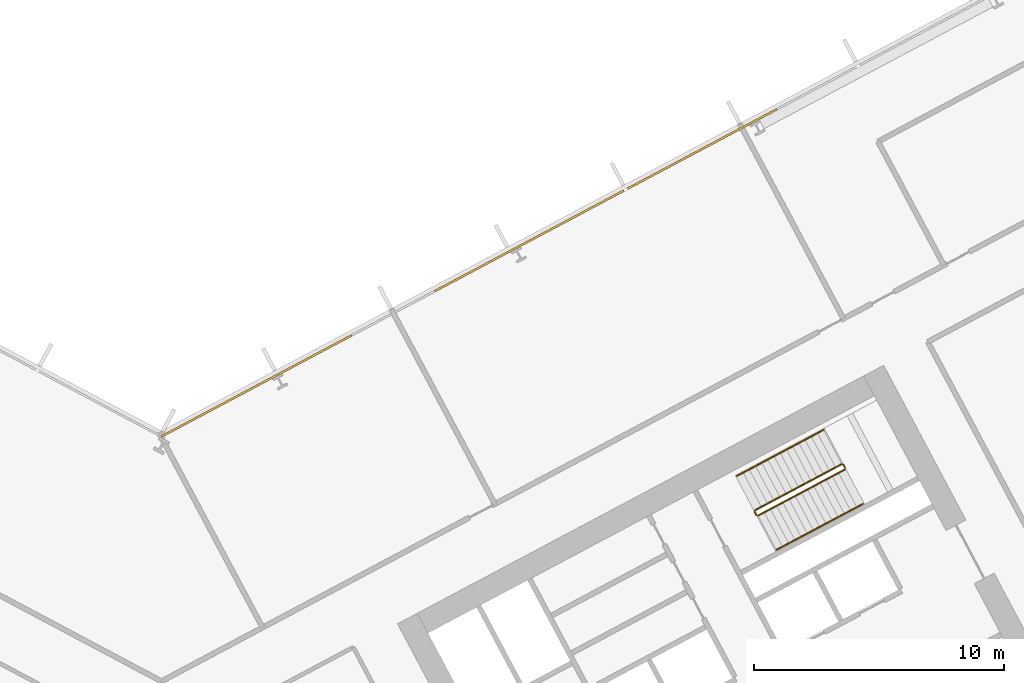
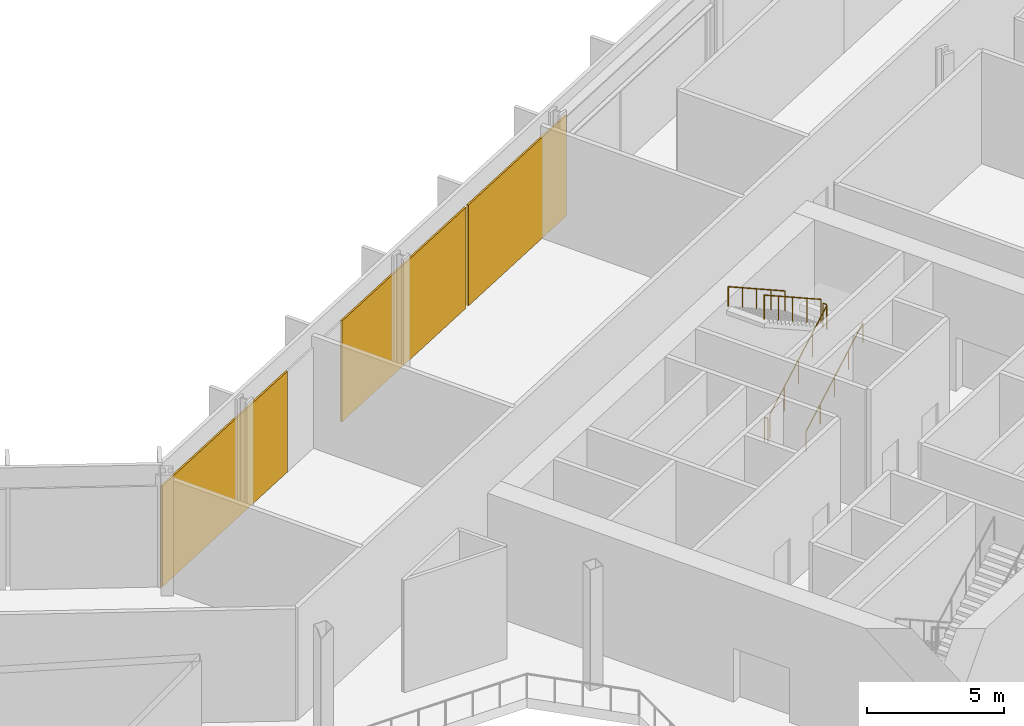
# One storey, part 29 of 32: 6 railings, 3 coverings, 1 element without a shape of its own.
"""IFC4 building model written with IfcOpenShell, lengths in metres."""

from ifc_helpers import new_model, si_unit, direction, frame, origin, origin_2d, place, context, subcontext, project, spatial, polyline, rectangle, outline, extrude, material, layer, layer_set, type_object, element, aggregate, save


model = new_model("IFC4")

# Units and contexts
model_context = context("Model", 3, precision=1e-05, world=origin(), true_north=direction((0.0, 1.0)))
body_context = subcontext(model_context, "Body", "Model", "MODEL_VIEW")
ifc_project = project(units=[si_unit("LENGTHUNIT", "METRE"), si_unit("AREAUNIT", "SQUARE_METRE"), si_unit("VOLUMEUNIT", "CUBIC_METRE"), si_unit("PLANEANGLEUNIT", "RADIAN"), si_unit("MASSUNIT", "GRAM", prefix="KILO")], contexts=[model_context])

# Site, building, storey
site_placement = place(None, origin())
site = spatial("IfcSite", under=ifc_project, at=site_placement, CompositionType="ELEMENT")
building_placement = place(site_placement, origin())
building = spatial("IfcBuilding", under=site, at=building_placement, Name="Cormorant Relay Tower", CompositionType="ELEMENT")
storey_placement = place(building_placement, frame((0.0, 0.0, 60.800048828125)))
storey = spatial("IfcBuildingStorey", under=building, at=storey_placement, Name="L11", CompositionType="ELEMENT", Elevation=60.800048828125)

# Curtain wall, coverings
ifc_material_1 = material(Name="Aluminium 6063-T6 anodised bronze", Category="aluminium")
ifc_layer_1 = layer(ifc_material_1, 0.235107421875)
ifc_layer_set_1 = layer_set([ifc_layer_1], Name="CW6 data hall curtain wall with mineral wool panels")
curtain_wall_type = type_object("IfcCurtainWallType", Name="CW6 data hall curtain wall with mineral wool panels", PredefinedType="NOTDEFINED", material=ifc_layer_set_1)
curtain_wall_placement = place(storey_placement, origin())
curtain_wall = element("IfcCurtainWall", 1, at=curtain_wall_placement, inside=storey, type_object=curtain_wall_type, Name="CW6 curtain wall 6", PredefinedType="NOTDEFINED")
ifc_material_2 = material(Name="Mineral wool cored anodised bronze aluminium cassette panel", Category="aluminium")
ifc_layer_2 = layer(ifc_material_2, 0.074951171875)
ifc_layer_set_2 = layer_set([ifc_layer_2], Name="CW6 mineral wool cassette panel 75")
covering_type = type_object("IfcCoveringType", Name="CW6 mineral wool cassette panel 75", PredefinedType="CLADDING", material=ifc_layer_set_2)
covering_1_placement = place(storey_placement, frame((21.604248046875, 35.313720703125, 0.0), z_axis=(0.0, 0.0, 1.0), x_axis=(-0.882947592859, -0.469471562786, 0.0)))
covering_1 = element("IfcCovering", 2, at=covering_1_placement, type_object=covering_type, Name="CW6 panel S05", PredefinedType="CLADDING", context=body_context, shape_type="SweptSolid", body=[
    extrude(rectangle(XDim=6.765380859375, YDim=0.074951171875, at=origin_2d()), origin(), (0.0, 0.0, 1.0), 4.5),
])
covering_2_placement = place(storey_placement, frame((14.70361328125, 31.64453125, 0.0), z_axis=(0.0, 0.0, 1.0), x_axis=(-0.882947592859, -0.469471562786, 0.0)))
covering_2 = element("IfcCovering", 3, at=covering_2_placement, type_object=covering_type, Name="CW6 panel S06", PredefinedType="CLADDING", context=body_context, shape_type="SweptSolid", body=[
    extrude(rectangle(XDim=8.565185546875, YDim=0.074951171875, at=origin_2d()), origin(), (0.0, 0.0, 1.0), 4.5),
])
covering_3_placement = place(storey_placement, frame((3.796875, 25.84521484375, 0.0), z_axis=(0.0, 0.0, 1.0), x_axis=(-0.882947592859, -0.469471562786, 0.0)))
covering_3 = element("IfcCovering", 4, at=covering_3_placement, type_object=covering_type, Name="CW6 panel S09", PredefinedType="CLADDING", context=body_context, shape_type="SweptSolid", body=[
    extrude(rectangle(XDim=8.640380859375, YDim=0.074951171875, at=origin_2d()), origin(), (0.0, 0.0, 1.0), 4.5),
])
aggregate(curtain_wall, [covering_1, covering_2, covering_3])

# Railings
ifc_material_3 = material(Name="Steel ASTM A572 Grade 50 (Fy 345 MPa)", Category="steel")
railing_type_1 = type_object("IfcRailingType", Name="Stair guard 1100", PredefinedType="GUARDRAIL", material=ifc_material_3)
railing_1_placement = place(storey_placement, frame((23.8408203125, 20.6611328125, 0.179931640625)))
element("IfcRailing", 5, at=railing_1_placement, inside=storey, type_object=railing_type_1, Name="L11 B2 stair guard 1", PredefinedType="GUARDRAIL", context=body_context, shape_type="SweptSolid", body=[
    extrude(outline(polyline([(0.022216796875, 0.00927734375), (0.00927734375, 0.022216796875), (-0.00927734375, 0.022216796875), (-0.022216796875, 0.00927734375), (-0.022216796875, -0.00927734375), (-0.00927734375, -0.022216796875), (0.00927734375, -0.022216796875), (0.022216796875, -0.00927734375), (0.022216796875, 0.00927734375)])), frame((0.0, 0.0, 1.076171875), z_axis=(0.74271721126, 0.394907409077, 0.540758062681), x_axis=(-0.469469396681, 0.882948744594, 0.0)), (0.0, 0.0, 1.0), 4.66015625),
    extrude(outline(polyline([(0.019287109375, 0.008056640625), (0.008056640625, 0.019287109375), (-0.008056640625, 0.019287109375), (-0.019287109375, 0.008056640625), (-0.019287109375, -0.008056640625), (-0.008056640625, -0.019287109375), (0.008056640625, -0.019287109375), (0.019287109375, -0.008056640625), (0.019287109375, 0.008056640625)])), origin(), (0.0, 0.0, 1.0), 1.052001953125),
    extrude(outline(polyline([(0.019287109375, 0.008056640625), (0.008056640625, 0.019287109375), (-0.008056640625, 0.019287109375), (-0.019287109375, 0.008056640625), (-0.019287109375, -0.008056640625), (-0.008056640625, -0.019287109375), (0.008056640625, -0.019287109375), (0.019287109375, -0.008056640625), (0.019287109375, 0.008056640625)])), frame((0.865234375, 0.4599609375, 0.6298828125)), (0.0, 0.0, 1.0), 1.052001953125),
    extrude(outline(polyline([(0.019287109375, 0.008056640625), (0.008056640625, 0.019287109375), (-0.008056640625, 0.019287109375), (-0.019287109375, 0.008056640625), (-0.019287109375, -0.008056640625), (-0.008056640625, -0.019287109375), (0.008056640625, -0.019287109375), (0.019287109375, -0.008056640625), (0.019287109375, 0.008056640625)])), frame((1.73046875, 0.920166015625, 1.260009765625)), (0.0, 0.0, 1.0), 1.052001953125),
    extrude(outline(polyline([(0.019287109375, 0.008056640625), (0.008056640625, 0.019287109375), (-0.008056640625, 0.019287109375), (-0.019287109375, 0.008056640625), (-0.019287109375, -0.008056640625), (-0.008056640625, -0.019287109375), (0.008056640625, -0.019287109375), (0.019287109375, -0.008056640625), (0.019287109375, 0.008056640625)])), frame((2.595947265625, 1.38037109375, 1.89013671875)), (0.0, 0.0, 1.0), 1.052001953125),
    extrude(outline(polyline([(0.019287109375, 0.008056640625), (0.008056640625, 0.019287109375), (-0.008056640625, 0.019287109375), (-0.019287109375, 0.008056640625), (-0.019287109375, -0.008056640625), (-0.008056640625, -0.019287109375), (0.008056640625, -0.019287109375), (0.019287109375, -0.008056640625), (0.019287109375, 0.008056640625)])), frame((3.461181640625, 1.84033203125, 2.52001953125)), (0.0, 0.0, 1.0), 1.052001953125),
])
railing_2_placement = place(storey_placement, frame((27.32275390625, 22.569091796875, 2.699951171875)))
element("IfcRailing", 6, at=railing_2_placement, inside=storey, type_object=railing_type_1, Name="L11 B2 stair guard 2", PredefinedType="GUARDRAIL", context=body_context, shape_type="SweptSolid", body=[
    extrude(outline(polyline([(0.022216796875, 0.00927734375), (0.00927734375, 0.022216796875), (-0.00927734375, 0.022216796875), (-0.022216796875, 0.00927734375), (-0.022216796875, -0.00927734375), (-0.00927734375, -0.022216796875), (0.00927734375, -0.022216796875), (0.022216796875, -0.00927734375), (0.022216796875, 0.00927734375)])), frame((0.0, 0.0, 1.076171875), z_axis=(-0.470503732759, 0.882398003998, 0.0), x_axis=(-0.882398003998, -0.470503732759, 0.0)), (0.0, 0.0, 1.0), 0.14990234375),
    extrude(outline(polyline([(0.019287109375, 0.008056640625), (0.008056640625, 0.019287109375), (-0.008056640625, 0.019287109375), (-0.019287109375, 0.008056640625), (-0.019287109375, -0.008056640625), (-0.008056640625, -0.019287109375), (0.008056640625, -0.019287109375), (0.019287109375, -0.008056640625), (0.019287109375, 0.008056640625)])), origin(), (0.0, 0.0, 1.0), 1.052001953125),
    extrude(outline(polyline([(0.019287109375, 0.008056640625), (0.008056640625, 0.019287109375), (-0.008056640625, 0.019287109375), (-0.019287109375, 0.008056640625), (-0.019287109375, -0.008056640625), (-0.008056640625, -0.019287109375), (0.008056640625, -0.019287109375), (0.019287109375, -0.008056640625), (0.019287109375, 0.008056640625)])), frame((-0.070556640625, 0.13232421875, 0.0)), (0.0, 0.0, 1.0), 1.052001953125),
])
railing_3_placement = place(storey_placement, frame((27.1845703125, 22.72216796875, 2.8798828125)))
element("IfcRailing", 7, at=railing_3_placement, inside=storey, type_object=railing_type_1, Name="L11 B2 stair guard 3", PredefinedType="GUARDRAIL", context=body_context, shape_type="SweptSolid", body=[
    extrude(outline(polyline([(0.022216796875, 0.00927734375), (0.00927734375, 0.022216796875), (-0.00927734375, 0.022216796875), (-0.022216796875, 0.00927734375), (-0.022216796875, -0.00927734375), (-0.00927734375, -0.022216796875), (0.00927734375, -0.022216796875), (0.022216796875, -0.00927734375), (0.022216796875, 0.00927734375)])), frame((0.0, 0.0, 1.076171875), z_axis=(-0.74271721126, -0.394907409077, 0.540758062681), x_axis=(0.469469396681, -0.882948744594, 0.0)), (0.0, 0.0, 1.0), 4.66015625),
    extrude(outline(polyline([(0.019287109375, 0.008056640625), (0.008056640625, 0.019287109375), (-0.008056640625, 0.019287109375), (-0.019287109375, 0.008056640625), (-0.019287109375, -0.008056640625), (-0.008056640625, -0.019287109375), (0.008056640625, -0.019287109375), (0.019287109375, -0.008056640625), (0.019287109375, 0.008056640625)])), origin(), (0.0, 0.0, 1.0), 1.052001953125),
    extrude(outline(polyline([(0.019287109375, 0.008056640625), (0.008056640625, 0.019287109375), (-0.008056640625, 0.019287109375), (-0.019287109375, 0.008056640625), (-0.019287109375, -0.008056640625), (-0.008056640625, -0.019287109375), (0.008056640625, -0.019287109375), (0.019287109375, -0.008056640625), (0.019287109375, 0.008056640625)])), frame((-0.865234375, -0.4599609375, 0.6298828125)), (0.0, 0.0, 1.0), 1.052001953125),
    extrude(outline(polyline([(0.019287109375, 0.008056640625), (0.008056640625, 0.019287109375), (-0.008056640625, 0.019287109375), (-0.019287109375, 0.008056640625), (-0.019287109375, -0.008056640625), (-0.008056640625, -0.019287109375), (0.008056640625, -0.019287109375), (0.019287109375, -0.008056640625), (0.019287109375, 0.008056640625)])), frame((-1.73046875, -0.920166015625, 1.260009765625)), (0.0, 0.0, 1.0), 1.052001953125),
    extrude(outline(polyline([(0.019287109375, 0.008056640625), (0.008056640625, 0.019287109375), (-0.008056640625, 0.019287109375), (-0.019287109375, 0.008056640625), (-0.019287109375, -0.008056640625), (-0.008056640625, -0.019287109375), (0.008056640625, -0.019287109375), (0.019287109375, -0.008056640625), (0.019287109375, 0.008056640625)])), frame((-2.595947265625, -1.38037109375, 1.89013671875)), (0.0, 0.0, 1.0), 1.052001953125),
    extrude(outline(polyline([(0.019287109375, 0.008056640625), (0.008056640625, 0.019287109375), (-0.008056640625, 0.019287109375), (-0.019287109375, 0.008056640625), (-0.019287109375, -0.008056640625), (-0.008056640625, -0.019287109375), (0.008056640625, -0.019287109375), (0.019287109375, -0.008056640625), (0.019287109375, 0.008056640625)])), frame((-3.461181640625, -1.84033203125, 2.52001953125)), (0.0, 0.0, 1.0), 1.052001953125),
])
railing_4_placement = place(storey_placement, frame((23.773193359375, 20.681640625, 0.0)))
element("IfcRailing", 8, at=railing_4_placement, inside=storey, type_object=railing_type_1, Name="L11 B2 stair guard 4", PredefinedType="GUARDRAIL", context=body_context, shape_type="SweptSolid", body=[
    extrude(outline(polyline([(0.022216796875, 0.00927734375), (0.00927734375, 0.022216796875), (-0.00927734375, 0.022216796875), (-0.022216796875, 0.00927734375), (-0.022216796875, -0.00927734375), (-0.00927734375, -0.022216796875), (0.00927734375, -0.022216796875), (0.022216796875, -0.00927734375), (0.022216796875, 0.00927734375)])), frame((0.0, 0.0, 1.076171875), z_axis=(-0.46856034887, 0.8834314911, 0.0), x_axis=(-0.8834314911, -0.46856034887, 0.0)), (0.0, 0.0, 1.0), 0.150146484375),
    extrude(outline(polyline([(0.019287109375, 0.008056640625), (0.008056640625, 0.019287109375), (-0.008056640625, 0.019287109375), (-0.019287109375, 0.008056640625), (-0.019287109375, -0.008056640625), (-0.008056640625, -0.019287109375), (0.008056640625, -0.019287109375), (0.019287109375, -0.008056640625), (0.019287109375, 0.008056640625)])), origin(), (0.0, 0.0, 1.0), 1.052001953125),
    extrude(outline(polyline([(0.019287109375, 0.008056640625), (0.008056640625, 0.019287109375), (-0.008056640625, 0.019287109375), (-0.019287109375, 0.008056640625), (-0.019287109375, -0.008056640625), (-0.008056640625, -0.019287109375), (0.008056640625, -0.019287109375), (0.019287109375, -0.008056640625), (0.019287109375, 0.008056640625)])), frame((-0.0703125, 0.132568359375, 0.0)), (0.0, 0.0, 1.0), 1.052001953125),
])
ifc_material_4 = material(Name="Steel ASTM A572 Grade 50 (Fy 345 MPa)", Category="steel")
railing_type_2 = type_object("IfcRailingType", Name="Stair handrail 900", PredefinedType="HANDRAIL", material=ifc_material_4)
railing_5_placement = place(storey_placement, frame((24.568603515625, 19.29248046875, 0.179931640625)))
element("IfcRailing", 9, at=railing_5_placement, inside=storey, type_object=railing_type_2, Name="L11 B2 stair handrail 1", PredefinedType="HANDRAIL", context=body_context, shape_type="SweptSolid", body=[
    extrude(outline(polyline([(0.022216796875, 0.00927734375), (0.00927734375, 0.022216796875), (-0.00927734375, 0.022216796875), (-0.022216796875, 0.00927734375), (-0.022216796875, -0.00927734375), (-0.00927734375, -0.022216796875), (0.00927734375, -0.022216796875), (0.022216796875, -0.00927734375), (0.022216796875, 0.00927734375)])), frame((0.0, 0.0, 0.8759765625), z_axis=(0.74271721126, 0.394907409077, 0.540758062681), x_axis=(-0.469469396681, 0.882948744594, 0.0)), (0.0, 0.0, 1.0), 4.66015625),
    extrude(outline(polyline([(0.019287109375, 0.008056640625), (0.008056640625, 0.019287109375), (-0.008056640625, 0.019287109375), (-0.019287109375, 0.008056640625), (-0.019287109375, -0.008056640625), (-0.008056640625, -0.019287109375), (0.008056640625, -0.019287109375), (0.019287109375, -0.008056640625), (0.019287109375, 0.008056640625)])), origin(), (0.0, 0.0, 1.0), 0.851806640625),
    extrude(outline(polyline([(0.019287109375, 0.008056640625), (0.008056640625, 0.019287109375), (-0.008056640625, 0.019287109375), (-0.019287109375, 0.008056640625), (-0.019287109375, -0.008056640625), (-0.008056640625, -0.019287109375), (0.008056640625, -0.019287109375), (0.019287109375, -0.008056640625), (0.019287109375, 0.008056640625)])), frame((0.865234375, 0.4599609375, 0.6298828125)), (0.0, 0.0, 1.0), 0.851806640625),
    extrude(outline(polyline([(0.019287109375, 0.008056640625), (0.008056640625, 0.019287109375), (-0.008056640625, 0.019287109375), (-0.019287109375, 0.008056640625), (-0.019287109375, -0.008056640625), (-0.008056640625, -0.019287109375), (0.008056640625, -0.019287109375), (0.019287109375, -0.008056640625), (0.019287109375, 0.008056640625)])), frame((1.73046875, 0.920166015625, 1.260009765625)), (0.0, 0.0, 1.0), 0.851806640625),
    extrude(outline(polyline([(0.019287109375, 0.008056640625), (0.008056640625, 0.019287109375), (-0.008056640625, 0.019287109375), (-0.019287109375, 0.008056640625), (-0.019287109375, -0.008056640625), (-0.008056640625, -0.019287109375), (0.008056640625, -0.019287109375), (0.019287109375, -0.008056640625), (0.019287109375, 0.008056640625)])), frame((2.595947265625, 1.38037109375, 1.89013671875)), (0.0, 0.0, 1.0), 0.851806640625),
    extrude(outline(polyline([(0.019287109375, 0.008056640625), (0.008056640625, 0.019287109375), (-0.008056640625, 0.019287109375), (-0.019287109375, 0.008056640625), (-0.019287109375, -0.008056640625), (-0.008056640625, -0.019287109375), (0.008056640625, -0.019287109375), (0.019287109375, -0.008056640625), (0.019287109375, 0.008056640625)])), frame((3.461181640625, 1.84033203125, 2.52001953125)), (0.0, 0.0, 1.0), 0.851806640625),
])
railing_6_placement = place(storey_placement, frame((26.45703125, 24.090576171875, 2.8798828125)))
element("IfcRailing", 10, at=railing_6_placement, inside=storey, type_object=railing_type_2, Name="L11 B2 stair handrail 2", PredefinedType="HANDRAIL", context=body_context, shape_type="SweptSolid", body=[
    extrude(outline(polyline([(0.022216796875, 0.00927734375), (0.00927734375, 0.022216796875), (-0.00927734375, 0.022216796875), (-0.022216796875, 0.00927734375), (-0.022216796875, -0.00927734375), (-0.00927734375, -0.022216796875), (0.00927734375, -0.022216796875), (0.022216796875, -0.00927734375), (0.022216796875, 0.00927734375)])), frame((0.0, 0.0, 0.8759765625), z_axis=(-0.74271721126, -0.394907409077, 0.540758062681), x_axis=(0.469469396681, -0.882948744594, 0.0)), (0.0, 0.0, 1.0), 4.66015625),
    extrude(outline(polyline([(0.019287109375, 0.008056640625), (0.008056640625, 0.019287109375), (-0.008056640625, 0.019287109375), (-0.019287109375, 0.008056640625), (-0.019287109375, -0.008056640625), (-0.008056640625, -0.019287109375), (0.008056640625, -0.019287109375), (0.019287109375, -0.008056640625), (0.019287109375, 0.008056640625)])), origin(), (0.0, 0.0, 1.0), 0.851806640625),
    extrude(outline(polyline([(0.019287109375, 0.008056640625), (0.008056640625, 0.019287109375), (-0.008056640625, 0.019287109375), (-0.019287109375, 0.008056640625), (-0.019287109375, -0.008056640625), (-0.008056640625, -0.019287109375), (0.008056640625, -0.019287109375), (0.019287109375, -0.008056640625), (0.019287109375, 0.008056640625)])), frame((-0.865234375, -0.4599609375, 0.6298828125)), (0.0, 0.0, 1.0), 0.851806640625),
    extrude(outline(polyline([(0.019287109375, 0.008056640625), (0.008056640625, 0.019287109375), (-0.008056640625, 0.019287109375), (-0.019287109375, 0.008056640625), (-0.019287109375, -0.008056640625), (-0.008056640625, -0.019287109375), (0.008056640625, -0.019287109375), (0.019287109375, -0.008056640625), (0.019287109375, 0.008056640625)])), frame((-1.73046875, -0.920166015625, 1.260009765625)), (0.0, 0.0, 1.0), 0.851806640625),
    extrude(outline(polyline([(0.019287109375, 0.008056640625), (0.008056640625, 0.019287109375), (-0.008056640625, 0.019287109375), (-0.019287109375, 0.008056640625), (-0.019287109375, -0.008056640625), (-0.008056640625, -0.019287109375), (0.008056640625, -0.019287109375), (0.019287109375, -0.008056640625), (0.019287109375, 0.008056640625)])), frame((-2.595947265625, -1.38037109375, 1.89013671875)), (0.0, 0.0, 1.0), 0.851806640625),
    extrude(outline(polyline([(0.019287109375, 0.008056640625), (0.008056640625, 0.019287109375), (-0.008056640625, 0.019287109375), (-0.019287109375, 0.008056640625), (-0.019287109375, -0.008056640625), (-0.008056640625, -0.019287109375), (0.008056640625, -0.019287109375), (0.019287109375, -0.008056640625), (0.019287109375, 0.008056640625)])), frame((-3.461181640625, -1.84033203125, 2.52001953125)), (0.0, 0.0, 1.0), 0.851806640625),
])

save(model, "model.ifc")
